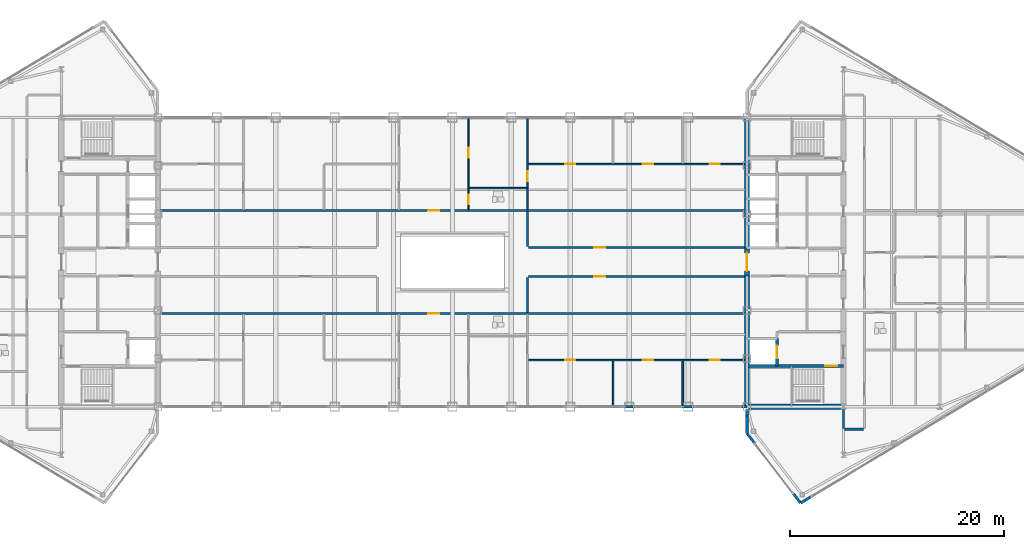
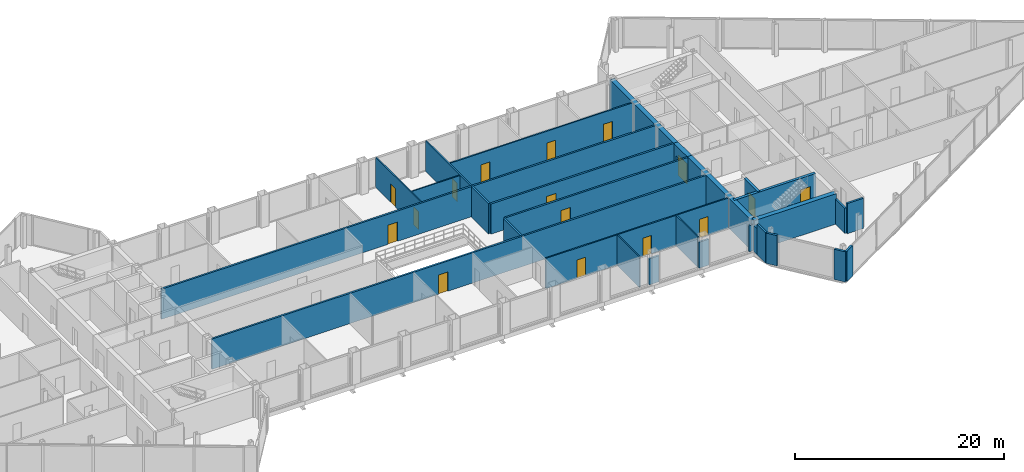
# One storey, part 24 of 29: 29 walls, 16 doors, 16 openings.
"""IFC4 building model written with IfcOpenShell, lengths in metres."""

from ifc_helpers import new_model, si_unit, direction, frame, frame_2d, origin, place, context, subcontext, project, spatial, rectangle, extrude, source, transform, mapped, material, layer, layer_set, type_object, type_shapes, element, fill, save


model = new_model("IFC4")

# Units and contexts
model_context = context("Model", 3, precision=1e-05, world=origin(), true_north=direction((0.0, 1.0)))
body_context = subcontext(model_context, "Body", "Model", "MODEL_VIEW")
ifc_project = project(units=[si_unit("LENGTHUNIT", "METRE"), si_unit("AREAUNIT", "SQUARE_METRE"), si_unit("VOLUMEUNIT", "CUBIC_METRE"), si_unit("PLANEANGLEUNIT", "RADIAN"), si_unit("MASSUNIT", "GRAM", prefix="KILO")], contexts=[model_context])

# Site, building, storey
site_placement = place(None, origin())
site = spatial("IfcSite", under=ifc_project, at=site_placement, CompositionType="ELEMENT")
building_placement = place(site_placement, origin())
building = spatial("IfcBuilding", under=site, at=building_placement, Name="Seokmaru Belvedere", CompositionType="ELEMENT")
storey_placement = place(building_placement, frame((0.0, 0.0, 250.64990234375)))
storey = spatial("IfcBuildingStorey", under=building, at=storey_placement, Name="L66", CompositionType="ELEMENT", Elevation=250.64990234375)

# Wall, openings, doors
ifc_material_1 = material(Name="Fire-Rated Gypsum Shaftwall")
ifc_layer_1 = layer(ifc_material_1, 0.14990234375)
ifc_layer_set_1 = layer_set([ifc_layer_1], Name="Fire-Rated Gypsum Shaftwall")
wall_type_1 = type_object("IfcWallType", Name="Apartment Fire-Acoustic Room Partition 150", PredefinedType="PARTITIONING", material=ifc_layer_set_1)
wall_1_placement = place(storey_placement, frame((7.0849609375, -9.14990234375, 0.0), z_axis=(0.0, 0.0, 1.0), x_axis=(1.0, 0.0, 0.0)))
wall_1 = element("IfcWall", 1, at=wall_1_placement, inside=storey, type_object=wall_type_1, Name="L66 Interior Partition 006", PredefinedType="PARTITIONING", context=body_context, shape_type="SweptSolid", body=[
    extrude(rectangle(XDim=20.16015625, YDim=0.14990234375, at=frame_2d((10.080078125, 0.0))), origin(), (0.0, 0.0, 1.0), 3.530029296875),
])
opening_1_placement = place(wall_1_placement, frame((3.43994140625, 0.0, 0.0)))
opening_1 = element("IfcOpeningElement", 2, at=opening_1_placement, cuts=wall_1, Name="Opening D05", PredefinedType="OPENING", context=body_context, shape_type="SweptSolid", body=[
    extrude(rectangle(XDim=0.949951171875, YDim=2.14990234375, at=frame_2d((0.47509765625, 1.074951171875))), frame((0.0, 0.0849609375, 0.0), z_axis=(0.0, -1.0, 0.0), x_axis=(1.0, 0.0, 0.0)), (0.0, 0.0, 1.0), 0.169921875),
])
opening_2_placement = place(wall_1_placement, frame((10.68994140625, 0.0, 0.0)))
opening_2 = element("IfcOpeningElement", 3, at=opening_2_placement, cuts=wall_1, Name="Opening D05", PredefinedType="OPENING", context=body_context, shape_type="SweptSolid", body=[
    extrude(rectangle(XDim=0.949951171875, YDim=2.14990234375, at=frame_2d((0.47509765625, 1.074951171875))), frame((0.0, 0.0849609375, 0.0), z_axis=(0.0, -1.0, 0.0), x_axis=(1.0, 0.0, 0.0)), (0.0, 0.0, 1.0), 0.169921875),
])
opening_3_placement = place(wall_1_placement, frame((16.93994140625, 0.0, 0.0)))
opening_3 = element("IfcOpeningElement", 4, at=opening_3_placement, cuts=wall_1, Name="Opening D05", PredefinedType="OPENING", context=body_context, shape_type="SweptSolid", body=[
    extrude(rectangle(XDim=0.949951171875, YDim=2.14990234375, at=frame_2d((0.47509765625, 1.074951171875))), frame((0.0, 0.0849609375, 0.0), z_axis=(0.0, -1.0, 0.0), x_axis=(1.0, 0.0, 0.0)), (0.0, 0.0, 1.0), 0.169921875),
])
ifc_material_2 = material(Name="Engineered White Oak Timber", Category="wood")
door_type_1 = type_object("IfcDoorType", Name="Apartment Interior Fire-Rated Oak Door 950x2150", OperationType="NOTDEFINED", PredefinedType="DOOR", material=ifc_material_2)
shared_shape_1 = source(origin(), body_context, "Body", "SweptSolid", [
    extrude(rectangle(XDim=0.949951171875, YDim=2.14990234375, at=frame_2d((0.47509765625, 1.074951171875))), frame((0.0, 0.02490234375, 0.0), z_axis=(0.0, -1.0, 0.0), x_axis=(1.0, 0.0, 0.0)), (0.0, 0.0, 1.0), 0.050048828125),
])
type_shapes(door_type_1, [shared_shape_1])
door_1_placement = place(opening_1_placement, origin())
door_1 = element("IfcDoor", 5, at=door_1_placement, inside=storey, type_object=door_type_1, Name="L66 Interior Door 038", OperationType="SINGLE_SWING_LEFT", OverallHeight=2.14990234375, OverallWidth=0.949951171875, PredefinedType="DOOR", context=body_context, shape_type="MappedRepresentation", body=[
    mapped(shared_shape_1, transform((0.0, 0.0, 0.0), scale=1.0)),
])
fill(opening_1, door_1)
door_2_placement = place(opening_2_placement, origin())
door_2 = element("IfcDoor", 6, at=door_2_placement, inside=storey, type_object=door_type_1, Name="L66 Interior Door 039", OperationType="SINGLE_SWING_RIGHT", OverallHeight=2.14990234375, OverallWidth=0.949951171875, PredefinedType="DOOR", context=body_context, shape_type="MappedRepresentation", body=[
    mapped(shared_shape_1, transform((0.0, 0.0, 0.0), scale=1.0)),
])
fill(opening_2, door_2)
door_3_placement = place(opening_3_placement, origin())
door_3 = element("IfcDoor", 7, at=door_3_placement, inside=storey, type_object=door_type_1, Name="L66 Interior Door 040", OperationType="SINGLE_SWING_LEFT", OverallHeight=2.14990234375, OverallWidth=0.949951171875, PredefinedType="DOOR", context=body_context, shape_type="MappedRepresentation", body=[
    mapped(shared_shape_1, transform((0.0, 0.0, 0.0), scale=1.0)),
])
fill(opening_3, door_3)

wall_2_placement = place(storey_placement, frame((7.0849609375, 9.14990234375, 0.0), z_axis=(0.0, 0.0, 1.0), x_axis=(1.0, 0.0, 0.0)))
wall_2 = element("IfcWall", 8, at=wall_2_placement, inside=storey, type_object=wall_type_1, Name="L66 Interior Partition 028", PredefinedType="PARTITIONING", context=body_context, shape_type="SweptSolid", body=[
    extrude(rectangle(XDim=20.16015625, YDim=0.14990234375, at=frame_2d((10.080078125, 0.0))), origin(), (0.0, 0.0, 1.0), 3.530029296875),
])
opening_4_placement = place(wall_2_placement, frame((3.43994140625, 0.0, 0.0)))
opening_4 = element("IfcOpeningElement", 9, at=opening_4_placement, cuts=wall_2, Name="Opening D05", PredefinedType="OPENING", context=body_context, shape_type="SweptSolid", body=[
    extrude(rectangle(XDim=0.949951171875, YDim=2.14990234375, at=frame_2d((0.47509765625, 1.074951171875))), frame((0.0, 0.0849609375, 0.0), z_axis=(0.0, -1.0, 0.0), x_axis=(1.0, 0.0, 0.0)), (0.0, 0.0, 1.0), 0.169921875),
])
opening_5_placement = place(wall_2_placement, frame((10.68994140625, 0.0, 0.0)))
opening_5 = element("IfcOpeningElement", 10, at=opening_5_placement, cuts=wall_2, Name="Opening D05", PredefinedType="OPENING", context=body_context, shape_type="SweptSolid", body=[
    extrude(rectangle(XDim=0.949951171875, YDim=2.14990234375, at=frame_2d((0.47509765625, 1.074951171875))), frame((0.0, 0.0849609375, 0.0), z_axis=(0.0, -1.0, 0.0), x_axis=(1.0, 0.0, 0.0)), (0.0, 0.0, 1.0), 0.169921875),
])
opening_6_placement = place(wall_2_placement, frame((16.93994140625, 0.0, 0.0)))
opening_6 = element("IfcOpeningElement", 11, at=opening_6_placement, cuts=wall_2, Name="Opening D05", PredefinedType="OPENING", context=body_context, shape_type="SweptSolid", body=[
    extrude(rectangle(XDim=0.949951171875, YDim=2.14990234375, at=frame_2d((0.47509765625, 1.074951171875))), frame((0.0, 0.0849609375, 0.0), z_axis=(0.0, -1.0, 0.0), x_axis=(1.0, 0.0, 0.0)), (0.0, 0.0, 1.0), 0.169921875),
])
door_4_placement = place(opening_4_placement, origin())
door_4 = element("IfcDoor", 12, at=door_4_placement, inside=storey, type_object=door_type_1, Name="L66 Interior Door 049", OperationType="SINGLE_SWING_LEFT", OverallHeight=2.14990234375, OverallWidth=0.949951171875, PredefinedType="DOOR", context=body_context, shape_type="MappedRepresentation", body=[
    mapped(shared_shape_1, transform((0.0, 0.0, 0.0), scale=1.0)),
])
fill(opening_4, door_4)
door_5_placement = place(opening_5_placement, origin())
door_5 = element("IfcDoor", 13, at=door_5_placement, inside=storey, type_object=door_type_1, Name="L66 Interior Door 050", OperationType="SINGLE_SWING_RIGHT", OverallHeight=2.14990234375, OverallWidth=0.949951171875, PredefinedType="DOOR", context=body_context, shape_type="MappedRepresentation", body=[
    mapped(shared_shape_1, transform((0.0, 0.0, 0.0), scale=1.0)),
])
fill(opening_5, door_5)
door_6_placement = place(opening_6_placement, origin())
door_6 = element("IfcDoor", 14, at=door_6_placement, inside=storey, type_object=door_type_1, Name="L66 Interior Door 051", OperationType="SINGLE_SWING_LEFT", OverallHeight=2.14990234375, OverallWidth=0.949951171875, PredefinedType="DOOR", context=body_context, shape_type="MappedRepresentation", body=[
    mapped(shared_shape_1, transform((0.0, 0.0, 0.0), scale=1.0)),
])
fill(opening_6, door_6)

# Wall, opening, door
wall_3_placement = place(storey_placement, frame((7.0, 4.885009765625, 0.0), z_axis=(0.0, 0.0, 1.0), x_axis=(0.0, 1.0, 0.0)))
wall_3 = element("IfcWall", 15, at=wall_3_placement, inside=storey, type_object=wall_type_1, Name="L66 Interior Partition 051", PredefinedType="PARTITIONING", context=body_context, shape_type="SweptSolid", body=[
    extrude(rectangle(XDim=8.614990234375, YDim=0.14990234375, at=frame_2d((4.3076171875, 0.0))), origin(), (0.0, 0.0, 1.0), 3.530029296875),
])
opening_7_placement = place(wall_3_placement, frame((2.6650390625, 0.0, 0.0)))
opening_7 = element("IfcOpeningElement", 16, at=opening_7_placement, cuts=wall_3, Name="Opening D05", PredefinedType="OPENING", context=body_context, shape_type="SweptSolid", body=[
    extrude(rectangle(XDim=0.949951171875, YDim=2.14990234375, at=frame_2d((0.47509765625, 1.074951171875))), frame((0.0, 0.0849609375, 0.0), z_axis=(0.0, -1.0, 0.0), x_axis=(1.0, 0.0, 0.0)), (0.0, 0.0, 1.0), 0.169921875),
])
door_7_placement = place(opening_7_placement, origin())
door_7 = element("IfcDoor", 17, at=door_7_placement, inside=storey, type_object=door_type_1, Name="L66 Interior Door 048", OperationType="SINGLE_SWING_LEFT", OverallHeight=2.14990234375, OverallWidth=0.949951171875, PredefinedType="DOOR", context=body_context, shape_type="MappedRepresentation", body=[
    mapped(shared_shape_1, transform((0.0, 0.0, 0.0), scale=1.0)),
])
fill(opening_7, door_7)

# Walls
wall_4_placement = place(storey_placement, frame((15.0, -13.5, 0.0), z_axis=(0.0, 0.0, 1.0), x_axis=(0.0, 1.0, 0.0)))
element("IfcWall", 18, at=wall_4_placement, inside=storey, type_object=wall_type_1, Name="L66 Interior Partition 052", PredefinedType="PARTITIONING", context=body_context, shape_type="SweptSolid", body=[
    extrude(rectangle(XDim=4.264892578125, YDim=0.14990234375, at=frame_2d((2.13232421875, 0.0))), origin(), (0.0, 0.0, 1.0), 3.530029296875),
])
wall_5_placement = place(storey_placement, frame((21.5, -13.389892578125, 0.0), z_axis=(0.0, 0.0, 1.0), x_axis=(0.0, 1.0, 0.0)))
element("IfcWall", 19, at=wall_5_placement, inside=storey, type_object=wall_type_1, Name="L66 Interior Partition 054", PredefinedType="PARTITIONING", context=body_context, shape_type="SweptSolid", body=[
    extrude(rectangle(XDim=4.15478515625, YDim=0.14990234375, at=frame_2d((2.077392578125, 0.0))), origin(), (0.0, 0.0, 1.0), 3.530029296875),
])
ifc_material_3 = material(Name="Anodised Bronze Aluminium", Category="aluminium")
ifc_layer_2 = layer(ifc_material_3, 0.2099609375)
ifc_layer_set_2 = layer_set([ifc_layer_2], Name="Anodised Bronze Aluminium")
wall_type_2 = type_object("IfcWallType", Name="Bridge Column Spandrel Closure Pier 210", PredefinedType="SOLIDWALL", material=ifc_layer_set_2)
for number, where, z_axis, x_axis, name in (
    (20, (15.949951171875, -13.5, 0.0), (0.0, 0.0, 1.0), (1.0, 0.0, 0.0), "L66 Bridge South Column Closure Pier 09"),
    (21, (21.449951171875, -13.5, 0.0), (0.0, 0.0, 1.0), (1.0, 0.0, 0.0), "L66 Bridge South Column Closure Pier 10"),
):
    element("IfcWall", number, at=place(storey_placement, frame(where, z_axis=z_axis, x_axis=x_axis)), inside=storey, type_object=wall_type_2, Name=name, PredefinedType="SOLIDWALL", context=body_context, shape_type="SweptSolid", body=[
        extrude(rectangle(XDim=1.10009765625, YDim=0.2099609375, at=frame_2d((0.550048828125, 0.0))), origin(), (0.0, 0.0, 1.0), 3.030029296875),
    ])
wall_6_placement = place(storey_placement, frame((26.949951171875, -13.5, 0.0), z_axis=(0.0, 0.0, 1.0), x_axis=(1.0, 0.0, 0.0)))
element("IfcWall", 22, at=wall_6_placement, inside=storey, type_object=wall_type_2, Name="L66 Bridge South Column Closure Pier 11", PredefinedType="SOLIDWALL", context=body_context, shape_type="SweptSolid", body=[
    extrude(rectangle(XDim=0.5400390625, YDim=0.2099609375, at=frame_2d((0.27001953125, 0.0))), origin(), (0.0, 0.0, 1.0), 3.030029296875),
])
ifc_layer_3 = layer(ifc_material_1, 0.199951171875)
ifc_layer_set_3 = layer_set([ifc_layer_3], Name="Fire-Rated Gypsum Shaftwall")
wall_type_3 = type_object("IfcWallType", Name="Inter-Tenancy Fire Compartment Partition 200", PredefinedType="PARTITIONING", material=ifc_layer_set_3)
wall_7_placement = place(storey_placement, frame((36.5849609375, -15.60009765625, 0.0), z_axis=(0.0, 0.0, 1.0), x_axis=(1.0, 0.0, 0.0)))
element("IfcWall", 23, at=wall_7_placement, inside=storey, type_object=wall_type_3, Name="L66 Interior Partition 002", PredefinedType="PARTITIONING", context=body_context, shape_type="SweptSolid", body=[
    extrude(rectangle(XDim=1.780029296875, YDim=0.199951171875, at=frame_2d((0.89013671875, 0.0))), origin(), (0.0, 0.0, 1.0), 3.530029296875),
])

# Wall, opening, door
wall_8_placement = place(storey_placement, frame((-27.2451171875, -4.800048828125, 0.0), z_axis=(0.0, 0.0, 1.0), x_axis=(1.0, 0.0, 0.0)))
wall_8 = element("IfcWall", 24, at=wall_8_placement, inside=storey, type_object=wall_type_3, Name="L66 Interior Partition 011", PredefinedType="PARTITIONING", context=body_context, shape_type="SweptSolid", body=[
    extrude(rectangle(XDim=54.490234375, YDim=0.199951171875, at=frame_2d((27.2451171875, 0.0))), origin(), (0.0, 0.0, 1.0), 3.530029296875),
])
opening_8_placement = place(wall_8_placement, frame((24.969970703125, 0.0, 0.0)))
opening_8 = element("IfcOpeningElement", 25, at=opening_8_placement, cuts=wall_8, Name="Opening D03", PredefinedType="OPENING", context=body_context, shape_type="SweptSolid", body=[
    extrude(rectangle(XDim=1.050048828125, YDim=2.25, at=frame_2d((0.52490234375, 1.125))), frame((0.0, 0.10986328125, 0.0), z_axis=(0.0, -1.0, 0.0), x_axis=(1.0, 0.0, 0.0)), (0.0, 0.0, 1.0), 0.219970703125),
])
ifc_material_4 = material(Name="Fire-Rated Steel Leaf", Category="steel")
door_type_2 = type_object("IfcDoorType", Name="Apartment Entrance Fire Door 1050x2250", OperationType="NOTDEFINED", PredefinedType="DOOR", material=ifc_material_4)
shared_shape_2 = source(origin(), body_context, "Body", "SweptSolid", [
    extrude(rectangle(XDim=1.050048828125, YDim=2.25, at=frame_2d((0.52490234375, 1.125))), frame((0.0, 0.02490234375, 0.0), z_axis=(0.0, -1.0, 0.0), x_axis=(1.0, 0.0, 0.0)), (0.0, 0.0, 1.0), 0.050048828125),
])
type_shapes(door_type_2, [shared_shape_2])
door_8_placement = place(opening_8_placement, origin())
door_8 = element("IfcDoor", 26, at=door_8_placement, inside=storey, type_object=door_type_2, Name="L66 Interior Door 030", OperationType="SINGLE_SWING_LEFT", OverallHeight=2.25, OverallWidth=1.050048828125, PredefinedType="DOOR", context=body_context, shape_type="MappedRepresentation", body=[
    mapped(shared_shape_2, transform((0.0, 0.0, 0.0), scale=1.0)),
])
fill(opening_8, door_8)

wall_9_placement = place(storey_placement, frame((7.0849609375, -1.35009765625, 0.0), z_axis=(0.0, 0.0, 1.0), x_axis=(1.0, 0.0, 0.0)))
wall_9 = element("IfcWall", 27, at=wall_9_placement, inside=storey, type_object=wall_type_3, Name="L66 Interior Partition 017", PredefinedType="PARTITIONING", context=body_context, shape_type="SweptSolid", body=[
    extrude(rectangle(XDim=20.16015625, YDim=0.199951171875, at=frame_2d((10.080078125, 0.0))), origin(), (0.0, 0.0, 1.0), 3.530029296875),
])
opening_9_placement = place(wall_9_placement, frame((6.139892578125, 0.0, 0.0)))
opening_9 = element("IfcOpeningElement", 28, at=opening_9_placement, cuts=wall_9, Name="Opening D03", PredefinedType="OPENING", context=body_context, shape_type="SweptSolid", body=[
    extrude(rectangle(XDim=1.050048828125, YDim=2.25, at=frame_2d((0.52490234375, 1.125))), frame((0.0, 0.10986328125, 0.0), z_axis=(0.0, -1.0, 0.0), x_axis=(1.0, 0.0, 0.0)), (0.0, 0.0, 1.0), 0.219970703125),
])
door_9_placement = place(opening_9_placement, origin())
door_9 = element("IfcDoor", 29, at=door_9_placement, inside=storey, type_object=door_type_2, Name="L66 Interior Door 027", OperationType="SINGLE_SWING_RIGHT", OverallHeight=2.25, OverallWidth=1.050048828125, PredefinedType="DOOR", context=body_context, shape_type="MappedRepresentation", body=[
    mapped(shared_shape_2, transform((0.0, 0.0, 0.0), scale=1.0)),
])
fill(opening_9, door_9)

wall_10_placement = place(storey_placement, frame((7.0849609375, 1.35009765625, 0.0), z_axis=(0.0, 0.0, 1.0), x_axis=(1.0, 0.0, 0.0)))
wall_10 = element("IfcWall", 30, at=wall_10_placement, inside=storey, type_object=wall_type_3, Name="L66 Interior Partition 021", PredefinedType="PARTITIONING", context=body_context, shape_type="SweptSolid", body=[
    extrude(rectangle(XDim=20.16015625, YDim=0.199951171875, at=frame_2d((10.080078125, 0.0))), origin(), (0.0, 0.0, 1.0), 3.530029296875),
])
opening_10_placement = place(wall_10_placement, frame((6.139892578125, 0.0, 0.0)))
opening_10 = element("IfcOpeningElement", 31, at=opening_10_placement, cuts=wall_10, Name="Opening D03", PredefinedType="OPENING", context=body_context, shape_type="SweptSolid", body=[
    extrude(rectangle(XDim=1.050048828125, YDim=2.25, at=frame_2d((0.52490234375, 1.125))), frame((0.0, 0.10986328125, 0.0), z_axis=(0.0, -1.0, 0.0), x_axis=(1.0, 0.0, 0.0)), (0.0, 0.0, 1.0), 0.219970703125),
])
door_10_placement = place(opening_10_placement, origin())
door_10 = element("IfcDoor", 32, at=door_10_placement, inside=storey, type_object=door_type_2, Name="L66 Interior Door 029", OperationType="SINGLE_SWING_LEFT", OverallHeight=2.25, OverallWidth=1.050048828125, PredefinedType="DOOR", context=body_context, shape_type="MappedRepresentation", body=[
    mapped(shared_shape_2, transform((0.0, 0.0, 0.0), scale=1.0)),
])
fill(opening_10, door_10)

wall_11_placement = place(storey_placement, frame((-27.2451171875, 4.800048828125, 0.0), z_axis=(0.0, 0.0, 1.0), x_axis=(1.0, 0.0, 0.0)))
wall_11 = element("IfcWall", 33, at=wall_11_placement, inside=storey, type_object=wall_type_3, Name="L66 Interior Partition 023", PredefinedType="PARTITIONING", context=body_context, shape_type="SweptSolid", body=[
    extrude(rectangle(XDim=54.490234375, YDim=0.199951171875, at=frame_2d((27.2451171875, 0.0))), origin(), (0.0, 0.0, 1.0), 3.530029296875),
])
opening_11_placement = place(wall_11_placement, frame((24.969970703125, 0.0, 0.0)))
opening_11 = element("IfcOpeningElement", 34, at=opening_11_placement, cuts=wall_11, Name="Opening D03", PredefinedType="OPENING", context=body_context, shape_type="SweptSolid", body=[
    extrude(rectangle(XDim=1.050048828125, YDim=2.25, at=frame_2d((0.52490234375, 1.125))), frame((0.0, 0.10986328125, 0.0), z_axis=(0.0, -1.0, 0.0), x_axis=(1.0, 0.0, 0.0)), (0.0, 0.0, 1.0), 0.219970703125),
])
door_11_placement = place(opening_11_placement, origin())
door_11 = element("IfcDoor", 35, at=door_11_placement, inside=storey, type_object=door_type_2, Name="L66 Interior Door 041", OperationType="SINGLE_SWING_RIGHT", OverallHeight=2.25, OverallWidth=1.050048828125, PredefinedType="DOOR", context=body_context, shape_type="MappedRepresentation", body=[
    mapped(shared_shape_2, transform((0.0, 0.0, 0.0), scale=1.0)),
])
fill(opening_11, door_11)

# Walls
for number, where, z_axis, x_axis, name in (
    (36, (7.0, -4.715087890625, 0.0), (0.0, 0.0, 1.0), (0.0, 1.0, 0.0), "L66 Interior Partition 049"),
    (37, (7.0, 1.43505859375, 0.0), (0.0, 0.0, 1.0), (0.0, 1.0, 0.0), "L66 Interior Partition 050"),
):
    element("IfcWall", number, at=place(storey_placement, frame(where, z_axis=z_axis, x_axis=x_axis)), inside=storey, type_object=wall_type_3, Name=name, PredefinedType="PARTITIONING", context=body_context, shape_type="SweptSolid", body=[
        extrude(rectangle(XDim=3.280029296875, YDim=0.199951171875, at=frame_2d((1.64013671875, 0.0))), origin(), (0.0, 0.0, 1.0), 3.530029296875),
    ])
wall_12_placement = place(storey_placement, frame((36.5, -15.514892578125, 0.0), z_axis=(0.0, 0.0, 1.0), x_axis=(0.0, 1.0, 0.0)))
element("IfcWall", 38, at=wall_12_placement, inside=storey, type_object=wall_type_3, Name="L66 Interior Partition 056", PredefinedType="PARTITIONING", context=body_context, shape_type="SweptSolid", body=[
    extrude(rectangle(XDim=1.760009765625, YDim=0.199951171875, at=frame_2d((0.8798828125, 0.0))), origin(), (0.0, 0.0, 1.0), 2.93017578125),
])

# Wall, opening, door
ifc_material_5 = material(Name="Concrete C50 (50 MPa)", Category="concrete")
ifc_layer_4 = layer(ifc_material_5, 0.300048828125)
ifc_layer_set_4 = layer_set([ifc_layer_4], Name="Concrete C50 (50 MPa)")
wall_type_4 = type_object("IfcWallType", Name="Internal Core Stair and Hoistway Wall 300", PredefinedType="SHEAR", material=ifc_layer_set_4)
wall_13_placement = place(storey_placement, frame((27.5, -9.699951171875, 0.0), z_axis=(0.0, 0.0, 1.0), x_axis=(1.0, 0.0, 0.0)))
wall_13 = element("IfcWall", 39, at=wall_13_placement, inside=storey, type_object=wall_type_4, Name="L66 East Stair ST-1 Enclosure Wall", PredefinedType="SHEAR", context=body_context, shape_type="SweptSolid", body=[
    extrude(rectangle(XDim=9.0, YDim=0.300048828125, at=frame_2d((4.5, 0.0))), origin(), (0.0, 0.0, 1.0), 3.530029296875),
])
opening_12_placement = place(wall_13_placement, frame((7.300048828125, 0.0, 0.0)))
opening_12 = element("IfcOpeningElement", 40, at=opening_12_placement, cuts=wall_13, Name="Opening D01", PredefinedType="OPENING", context=body_context, shape_type="SweptSolid", body=[
    extrude(rectangle(XDim=1.10009765625, YDim=2.199951171875, at=frame_2d((0.550048828125, 1.10009765625))), frame((0.0, 0.16015625, 0.0), z_axis=(0.0, -1.0, 0.0), x_axis=(1.0, 0.0, 0.0)), (0.0, 0.0, 1.0), 0.320068359375),
])
door_type_3 = type_object("IfcDoorType", Name="Special Escape Stair Smokeproof Fire Door 1100x2200", OperationType="NOTDEFINED", PredefinedType="DOOR", material=ifc_material_4)
shared_shape_3 = source(origin(), body_context, "Body", "SweptSolid", [
    extrude(rectangle(XDim=1.10009765625, YDim=2.199951171875, at=frame_2d((0.550048828125, 1.10009765625))), frame((0.0, 0.02490234375, 0.0), z_axis=(0.0, -1.0, 0.0), x_axis=(1.0, 0.0, 0.0)), (0.0, 0.0, 1.0), 0.050048828125),
])
type_shapes(door_type_3, [shared_shape_3])
door_12_placement = place(opening_12_placement, frame((1.10009765625, 0.0, 0.0), z_axis=(0.0, 0.0, 1.0), x_axis=(-1.0, 0.0, 0.0)))
door_12 = element("IfcDoor", 41, at=door_12_placement, inside=storey, type_object=door_type_3, Name="L66 East Special Escape Stair ST-1 Door", OperationType="SINGLE_SWING_RIGHT", OverallHeight=2.199951171875, OverallWidth=1.10009765625, PredefinedType="DOOR", context=body_context, shape_type="MappedRepresentation", body=[
    mapped(shared_shape_3, transform((0.0, 0.0, 0.0), scale=1.0)),
])
fill(opening_12, door_12)

wall_14_placement = place(storey_placement, frame((30.300048828125, -9.679931640625, 0.0), z_axis=(0.0, 0.0, 1.0), x_axis=(0.0, 1.0, 0.0)))
wall_14 = element("IfcWall", 42, at=wall_14_placement, inside=storey, type_object=wall_type_4, Name="L66 East Firefighting Lift Shaft Front Wall", PredefinedType="SHEAR", context=body_context, shape_type="SweptSolid", body=[
    extrude(rectangle(XDim=2.559814453125, YDim=0.300048828125, at=frame_2d((1.27978515625, 0.0))), origin(), (0.0, 0.0, 1.0), 3.530029296875),
])
opening_13_placement = place(wall_14_placement, frame((0.679931640625, 0.0, 0.0)))
opening_13 = element("IfcOpeningElement", 43, at=opening_13_placement, cuts=wall_14, Name="Opening LD2", PredefinedType="OPENING", context=body_context, shape_type="SweptSolid", body=[
    extrude(rectangle(XDim=1.199951171875, YDim=2.25, at=frame_2d((0.60009765625, 1.125))), frame((0.0, 0.16015625, 0.0), z_axis=(0.0, -1.0, 0.0), x_axis=(1.0, 0.0, 0.0)), (0.0, 0.0, 1.0), 0.320068359375),
])
ifc_material_6 = material(Name="Stainless Steel 316", Category="steel")
door_type_4 = type_object("IfcDoorType", Name="Firefighting Lift Sliding Landing Door 1200x2250", OperationType="DOUBLE_DOOR_SLIDING", PredefinedType="DOOR", material=ifc_material_6)
shared_shape_4 = source(origin(), body_context, "Body", "SweptSolid", [
    extrude(rectangle(XDim=1.199951171875, YDim=2.25, at=frame_2d((0.60009765625, 1.125))), frame((0.0, 0.02490234375, 0.0), z_axis=(0.0, -1.0, 0.0), x_axis=(1.0, 0.0, 0.0)), (0.0, 0.0, 1.0), 0.050048828125),
])
type_shapes(door_type_4, [shared_shape_4])
door_13_placement = place(opening_13_placement, origin())
door_13 = element("IfcDoor", 44, at=door_13_placement, inside=storey, type_object=door_type_4, Name="L66 East Firefighting Lift Landing Door", OperationType="DOUBLE_DOOR_SLIDING", OverallHeight=2.25, OverallWidth=1.199951171875, PredefinedType="DOOR", context=body_context, shape_type="MappedRepresentation", body=[
    mapped(shared_shape_4, transform((0.0, 0.0, 0.0), scale=1.0)),
])
fill(opening_13, door_13)

# Wall
ifc_layer_5 = layer(ifc_material_1, 0.1298828125)
ifc_layer_set_5 = layer_set([ifc_layer_5], Name="Fire-Rated Gypsum Shaftwall")
wall_type_5 = type_object("IfcWallType", Name="Moisture-Resistant Fire-Rated Bathroom Partition 130", PredefinedType="PARTITIONING", material=ifc_layer_set_5)
wall_15_placement = place(storey_placement, frame((1.5849609375, 6.89990234375, 0.0), z_axis=(0.0, 0.0, 1.0), x_axis=(1.0, 0.0, 0.0)))
element("IfcWall", 45, at=wall_15_placement, inside=storey, type_object=wall_type_5, Name="L66 Interior Partition 025", PredefinedType="PARTITIONING", context=body_context, shape_type="SweptSolid", body=[
    extrude(rectangle(XDim=5.330078125, YDim=0.1298828125, at=frame_2d((2.6650390625, 0.0))), origin(), (0.0, 0.0, 1.0), 3.530029296875),
])

# Wall, openings, doors
wall_16_placement = place(storey_placement, frame((1.5, 4.885009765625, 0.0), z_axis=(0.0, 0.0, 1.0), x_axis=(0.0, 1.0, 0.0)))
wall_16 = element("IfcWall", 46, at=wall_16_placement, inside=storey, type_object=wall_type_5, Name="L66 Interior Partition 047", PredefinedType="PARTITIONING", context=body_context, shape_type="SweptSolid", body=[
    extrude(rectangle(XDim=8.614990234375, YDim=0.1298828125, at=frame_2d((4.3076171875, 0.0))), origin(), (0.0, 0.0, 1.0), 3.530029296875),
])
opening_14_placement = place(wall_16_placement, frame((0.52490234375, 0.0, 0.0)))
opening_14 = element("IfcOpeningElement", 47, at=opening_14_placement, cuts=wall_16, Name="Opening D06", PredefinedType="OPENING", context=body_context, shape_type="SweptSolid", body=[
    extrude(rectangle(XDim=0.8798828125, YDim=2.10009765625, at=frame_2d((0.43994140625, 1.050048828125))), frame((0.0, 0.074951171875, 0.0), z_axis=(0.0, -1.0, 0.0), x_axis=(1.0, 0.0, 0.0)), (0.0, 0.0, 1.0), 0.14990234375),
])
opening_15_placement = place(wall_16_placement, frame((4.840087890625, 0.0, 0.0)))
opening_15 = element("IfcOpeningElement", 48, at=opening_15_placement, cuts=wall_16, Name="Opening D05", PredefinedType="OPENING", context=body_context, shape_type="SweptSolid", body=[
    extrude(rectangle(XDim=0.949951171875, YDim=2.14990234375, at=frame_2d((0.47509765625, 1.074951171875))), frame((0.0, 0.074951171875, 0.0), z_axis=(0.0, -1.0, 0.0), x_axis=(1.0, 0.0, 0.0)), (0.0, 0.0, 1.0), 0.14990234375),
])
door_type_5 = type_object("IfcDoorType", Name="Bathroom and Restroom Fire-Rated Door 880x2100", OperationType="NOTDEFINED", PredefinedType="DOOR", material=ifc_material_2)
shared_shape_5 = source(origin(), body_context, "Body", "SweptSolid", [
    extrude(rectangle(XDim=0.8798828125, YDim=2.10009765625, at=frame_2d((0.43994140625, 1.050048828125))), frame((0.0, 0.02490234375, 0.0), z_axis=(0.0, -1.0, 0.0), x_axis=(1.0, 0.0, 0.0)), (0.0, 0.0, 1.0), 0.050048828125),
])
type_shapes(door_type_5, [shared_shape_5])
door_14_placement = place(opening_14_placement, origin())
door_14 = element("IfcDoor", 49, at=door_14_placement, inside=storey, type_object=door_type_5, Name="L66 Interior Door 042", OperationType="SINGLE_SWING_LEFT", OverallHeight=2.10009765625, OverallWidth=0.8798828125, PredefinedType="DOOR", context=body_context, shape_type="MappedRepresentation", body=[
    mapped(shared_shape_5, transform((0.0, 0.0, 0.0), scale=1.0)),
])
fill(opening_14, door_14)
door_15_placement = place(opening_15_placement, origin())
door_15 = element("IfcDoor", 50, at=door_15_placement, inside=storey, type_object=door_type_1, Name="L66 Interior Door 043", OperationType="SINGLE_SWING_RIGHT", OverallHeight=2.14990234375, OverallWidth=0.949951171875, PredefinedType="DOOR", context=body_context, shape_type="MappedRepresentation", body=[
    mapped(shared_shape_1, transform((0.0, 0.0, 0.0), scale=1.0)),
])
fill(opening_15, door_15)

# Walls
ifc_layer_6 = layer(ifc_material_3, 0.239990234375)
ifc_layer_set_6 = layer_set([ifc_layer_6], Name="Anodised Bronze Aluminium")
wall_type_6 = type_object("IfcWallType", Name="Tower Corner Spandrel Closure Wall 240", PredefinedType="SOLIDWALL", material=ifc_layer_set_6)
wall_17_placement = place(storey_placement, frame((32.508544921875, -22.494873046875, 0.0), z_axis=(0.0, 0.0, 1.0), x_axis=(0.85743623509, 0.514590228002, 0.0)))
element("IfcWall", 51, at=wall_17_placement, inside=storey, type_object=wall_type_6, Name="L66 E Corner Closure Pier 1A", PredefinedType="SOLIDWALL", context=body_context, shape_type="SweptSolid", body=[
    extrude(rectangle(XDim=1.14013671875, YDim=0.239990234375, at=frame_2d((0.570068359375, 0.0))), origin(), (0.0, 0.0, 1.0), 3.530029296875),
])
wall_18_placement = place(storey_placement, frame((27.5, -15.97998046875, 0.0), z_axis=(0.0, 0.0, 1.0), x_axis=(0.0, 1.0, 0.0)))
element("IfcWall", 52, at=wall_18_placement, inside=storey, type_object=wall_type_6, Name="L66 E Shoulder Closure Wall 1", PredefinedType="SOLIDWALL", context=body_context, shape_type="SweptSolid", body=[
    extrude(rectangle(XDim=1.605224609375, YDim=0.239990234375, at=frame_2d((0.802734375, 0.0))), origin(), (0.0, 0.0, 1.0), 3.530029296875),
])
wall_19_placement = place(storey_placement, frame((27.5, -14.374755859375, 0.0), z_axis=(0.0, 0.0, 1.0), x_axis=(0.0, 1.0, 0.0)))
element("IfcWall", 53, at=wall_19_placement, inside=storey, type_object=wall_type_6, Name="L66 E Shoulder Closure Wall 1 Part 2", PredefinedType="SOLIDWALL", context=body_context, shape_type="SweptSolid", body=[
    extrude(rectangle(XDim=0.619873046875, YDim=0.239990234375, at=frame_2d((0.31005859375, 0.0))), origin(), (0.0, 0.0, 1.0), 3.030029296875),
])
for number, where, z_axis, x_axis, name in (
    (54, (27.506103515625, -16.0078125, 0.0), (0.0, 0.0, 1.0), (0.609617623633, -0.792695624408, 0.0), "L66 E Corner Closure Pier 6A"),
    (55, (31.798828125, -21.58837890625, 0.0), (0.0, 0.0, 1.0), (0.609617623633, -0.792695624408, 0.0), "L66 E Corner Closure Pier 6B"),
):
    element("IfcWall", number, at=place(storey_placement, frame(where, z_axis=z_axis, x_axis=x_axis)), inside=storey, type_object=wall_type_6, Name=name, PredefinedType="SOLIDWALL", context=body_context, shape_type="SweptSolid", body=[
        extrude(rectangle(XDim=1.14013671875, YDim=0.239990234375, at=frame_2d((0.570068359375, 0.0))), origin(), (0.0, 0.0, 1.0), 3.530029296875),
    ])
ifc_layer_7 = layer(ifc_material_5, 0.5)
ifc_layer_set_7 = layer_set([ifc_layer_7], Name="Concrete C50 (50 MPa)")
wall_type_7 = type_object("IfcWallType", Name="Upper Tower Reinforced Concrete Core Wall 500", PredefinedType="SHEAR", material=ifc_layer_set_7)
for number, where, z_axis, x_axis, name in (
    (56, (27.5, -13.5, 0.0), (0.0, 0.0, 1.0), (0.0, 1.0, 0.0), "L66 East Portal Spine Core Wall South"),
    (57, (27.5, 1.300048828125, 0.0), (0.0, 0.0, 1.0), (0.0, 1.0, 0.0), "L66 East Portal Spine Core Wall North"),
):
    element("IfcWall", number, at=place(storey_placement, frame(where, z_axis=z_axis, x_axis=x_axis)), inside=storey, type_object=wall_type_7, Name=name, PredefinedType="SHEAR", context=body_context, shape_type="SweptSolid", body=[
        extrude(rectangle(XDim=12.199951171875, YDim=0.5, at=frame_2d((6.10009765625, 0.0))), origin(), (0.0, 0.0, 1.0), 3.530029296875),
    ])

# Wall, opening, door
wall_20_placement = place(storey_placement, frame((27.5, -1.300048828125, 0.0), z_axis=(0.0, 0.0, 1.0), x_axis=(0.0, 1.0, 0.0)))
wall_20 = element("IfcWall", 58, at=wall_20_placement, inside=storey, type_object=wall_type_7, Name="L66 East Portal Spine Core Wall Center", PredefinedType="SHEAR", context=body_context, shape_type="SweptSolid", body=[
    extrude(rectangle(XDim=2.60009765625, YDim=0.5, at=frame_2d((1.300048828125, 0.0))), origin(), (0.0, 0.0, 1.0), 3.530029296875),
])
opening_16_placement = place(wall_20_placement, frame((0.449951171875, 0.0, 0.0)))
opening_16 = element("IfcOpeningElement", 59, at=opening_16_placement, cuts=wall_20, Name="Opening D09", PredefinedType="OPENING", context=body_context, shape_type="SweptSolid", body=[
    extrude(rectangle(XDim=1.699951171875, YDim=2.35009765625, at=frame_2d((0.85009765625, 1.175048828125))), frame((0.0, 0.260009765625, 0.0), z_axis=(0.0, -1.0, 0.0), x_axis=(1.0, 0.0, 0.0)), (0.0, 0.0, 1.0), 0.52001953125),
])
door_type_6 = type_object("IfcDoorType", Name="Sky-Gate Bridge Inter-Tower Fire Door 1700x2350", OperationType="DOUBLE_SWING_LEFT", PredefinedType="DOOR", material=ifc_material_4)
shared_shape_6 = source(origin(), body_context, "Body", "SweptSolid", [
    extrude(rectangle(XDim=1.699951171875, YDim=2.35009765625, at=frame_2d((0.85009765625, 1.175048828125))), frame((0.0, 0.02490234375, 0.0), z_axis=(0.0, -1.0, 0.0), x_axis=(1.0, 0.0, 0.0)), (0.0, 0.0, 1.0), 0.050048828125),
])
type_shapes(door_type_6, [shared_shape_6])
door_16_placement = place(opening_16_placement, origin())
door_16 = element("IfcDoor", 60, at=door_16_placement, inside=storey, type_object=door_type_6, Name="L66 East Inter-Tower Fire Door", OperationType="DOUBLE_SWING_LEFT", OverallHeight=2.35009765625, OverallWidth=1.699951171875, PredefinedType="DOOR", context=body_context, shape_type="MappedRepresentation", body=[
    mapped(shared_shape_6, transform((0.0, 0.0, 0.0), scale=1.0)),
])
fill(opening_16, door_16)

# Wall
wall_21_placement = place(storey_placement, frame((27.5, -13.5, 0.0), z_axis=(0.0, 0.0, 1.0), x_axis=(1.0, 0.0, 0.0)))
element("IfcWall", 61, at=wall_21_placement, inside=storey, type_object=wall_type_7, Name="L66 East South Core Wall", PredefinedType="SHEAR", context=body_context, shape_type="SweptSolid", body=[
    extrude(rectangle(XDim=9.0, YDim=0.5, at=frame_2d((4.5, 0.0))), origin(), (0.0, 0.0, 1.0), 3.530029296875),
])

save(model, "model.ifc")
